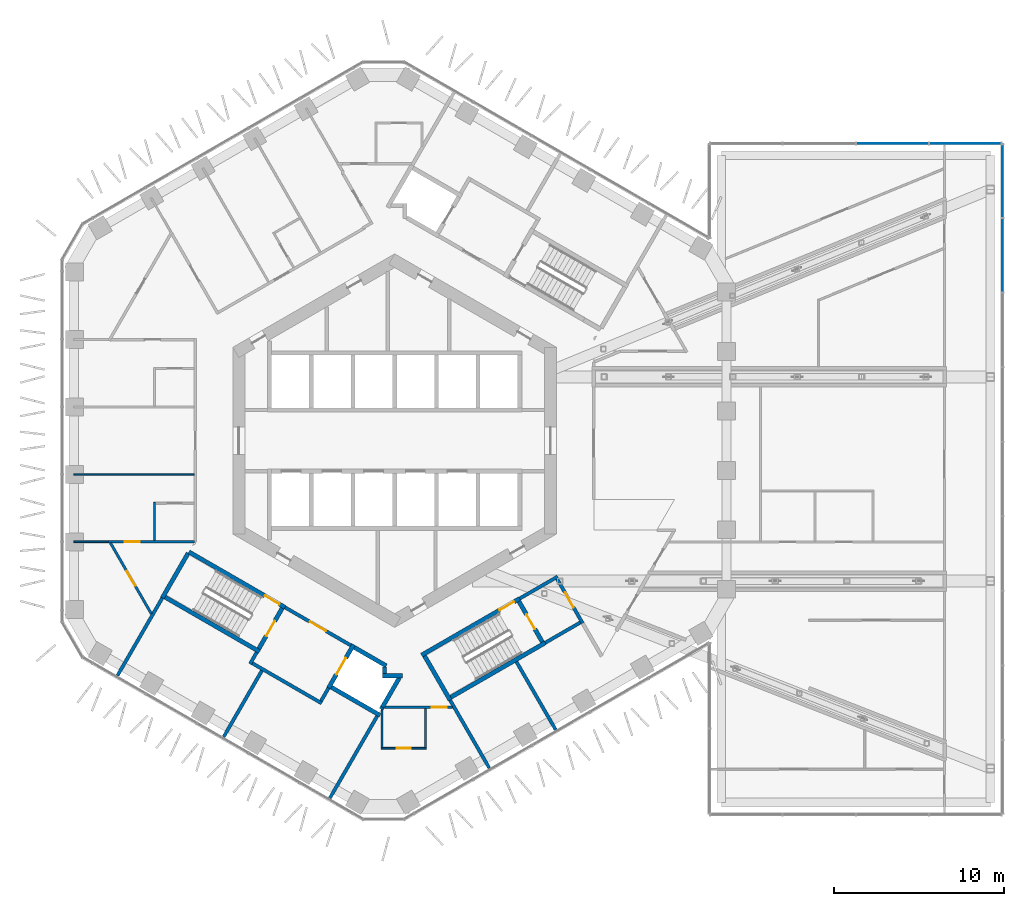
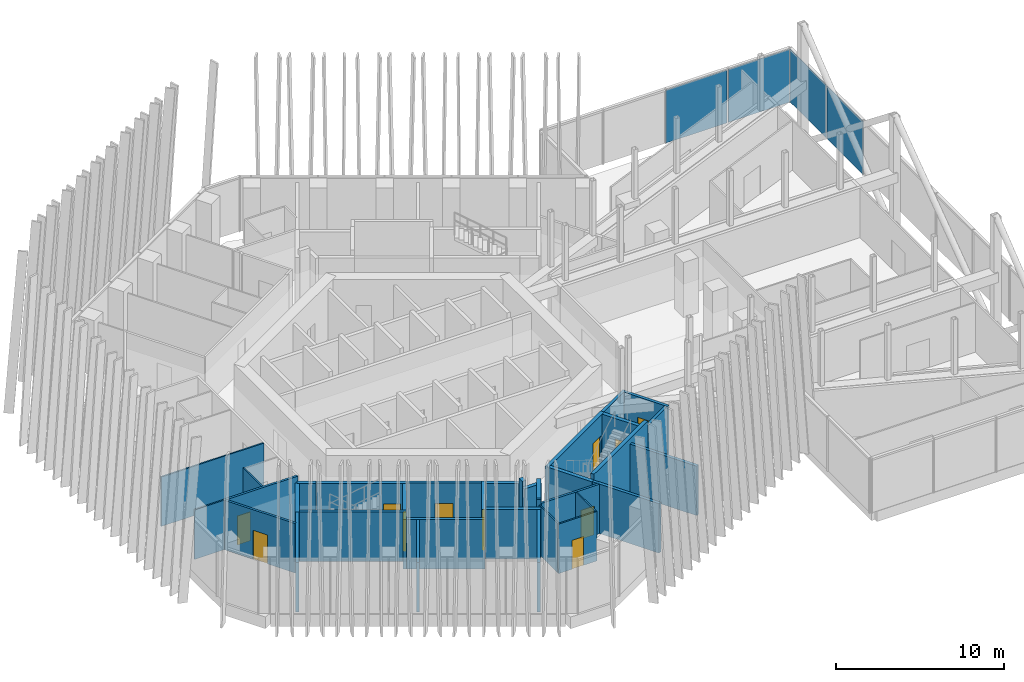
# One storey, part 19 of 28: 37 walls, 11 doors, 4 plates, 11 openings, 2 elements without a shape of their own.
"""IFC4 building model written with IfcOpenShell, lengths in metres."""

from ifc_helpers import new_model, si_unit, direction, frame, frame_2d, origin, origin_2d, place, context, subcontext, project, spatial, rectangle, extrude, material, layer, layer_set, type_object, element, fill, aggregate, save


model = new_model("IFC4")

# Units and contexts
model_context = context("Model", 3, precision=1e-05, world=origin(), true_north=direction((0.0, 1.0)))
body_context = subcontext(model_context, "Body", "Model", "MODEL_VIEW")
ifc_project = project(units=[si_unit("LENGTHUNIT", "METRE"), si_unit("AREAUNIT", "SQUARE_METRE"), si_unit("VOLUMEUNIT", "CUBIC_METRE"), si_unit("PLANEANGLEUNIT", "RADIAN"), si_unit("MASSUNIT", "GRAM", prefix="KILO")], contexts=[model_context])

# Site, building, storey
site_placement = place(None, origin())
site = spatial("IfcSite", under=ifc_project, at=site_placement, CompositionType="ELEMENT")
building_placement = place(site_placement, origin())
building = spatial("IfcBuilding", under=site, at=building_placement, Name="Ayvan Gate Tower", CompositionType="ELEMENT")
storey_placement = place(building_placement, frame((0.0, 0.0, 120.5)))
storey = spatial("IfcBuildingStorey", under=building, at=storey_placement, Name="L32", CompositionType="ELEMENT", Elevation=120.5)

# Curtain wall, plates
ifc_material_1 = material(Name="Bronze anodised aluminium", Category="aluminium")
ifc_layer_1 = layer(ifc_material_1, 0.199951171875)
ifc_layer_set_1 = layer_set([ifc_layer_1], Name="Bronze anodised aluminium")
curtain_wall_type = type_object("IfcCurtainWallType", Name="Stick curtain wall CW-4", PredefinedType="NOTDEFINED", material=ifc_layer_set_1)
curtain_wall_1_placement = place(storey_placement, origin())
curtain_wall_1 = element("IfcCurtainWall", 1, at=curtain_wall_1_placement, inside=storey, type_object=curtain_wall_type, Name="Stick curtain wall CW-4 L32", PredefinedType="NOTDEFINED")
ifc_material_2 = material(Name="Pale anodised aluminium composite panel", Category="aluminium")
ifc_layer_2 = layer(ifc_material_2, 0.028076171875)
ifc_layer_set_2 = layer_set([ifc_layer_2], Name="Pale anodised aluminium composite panel")
plate_type = type_object("IfcPlateType", Name="Stick curtain wall CW-4 solid panel", PredefinedType="CURTAIN_PANEL", material=ifc_layer_set_2)
plate_1_placement = place(storey_placement, frame((35.685546875, 10.88330078125, 0.0), z_axis=(0.0, 0.0, 1.0), x_axis=(0.0, 1.0, 0.0)))
plate_1 = element("IfcPlate", 2, at=plate_1_placement, type_object=plate_type, Name="CW-4 solid panel 8", PredefinedType="CURTAIN_PANEL", context=body_context, shape_type="SweptSolid", body=[
    extrude(rectangle(XDim=4.2978515625, YDim=0.028076171875, at=origin_2d()), origin(), (0.0, 0.0, 1.0), 3.860107421875),
])
plate_2_placement = place(storey_placement, frame((35.685546875, 15.26123046875, 0.0), z_axis=(0.0, 0.0, 1.0), x_axis=(0.0, 1.0, 0.0)))
plate_2 = element("IfcPlate", 3, at=plate_2_placement, type_object=plate_type, Name="CW-4 solid panel 9", PredefinedType="CURTAIN_PANEL", context=body_context, shape_type="SweptSolid", body=[
    extrude(rectangle(XDim=4.2978515625, YDim=0.028076171875, at=origin_2d()), origin(), (0.0, 0.0, 1.0), 3.860107421875),
])
aggregate(curtain_wall_1, [plate_1, plate_2])

curtain_wall_2_placement = place(storey_placement, origin())
curtain_wall_2 = element("IfcCurtainWall", 4, at=curtain_wall_2_placement, inside=storey, type_object=curtain_wall_type, Name="Stick curtain wall CW-4 L32", PredefinedType="NOTDEFINED")
plate_3_placement = place(storey_placement, frame((33.53564453125, 17.449951171875, 0.0), z_axis=(0.0, 0.0, 1.0), x_axis=(-1.0, 0.0, 0.0)))
plate_3 = element("IfcPlate", 5, at=plate_3_placement, type_object=plate_type, Name="CW-4 solid panel 1", PredefinedType="CURTAIN_PANEL", context=body_context, shape_type="SweptSolid", body=[
    extrude(rectangle(XDim=4.219970703125, YDim=0.028076171875, at=origin_2d()), origin(), (0.0, 0.0, 1.0), 3.860107421875),
])
plate_4_placement = place(storey_placement, frame((29.235595703125, 17.449951171875, 0.0), z_axis=(0.0, 0.0, 1.0), x_axis=(-1.0, 0.0, 0.0)))
plate_4 = element("IfcPlate", 6, at=plate_4_placement, type_object=plate_type, Name="CW-4 solid panel 2", PredefinedType="CURTAIN_PANEL", context=body_context, shape_type="SweptSolid", body=[
    extrude(rectangle(XDim=4.219970703125, YDim=0.028076171875, at=origin_2d()), origin(), (0.0, 0.0, 1.0), 3.860107421875),
])
aggregate(curtain_wall_2, [plate_3, plate_4])

# Wall, opening, door
ifc_material_3 = material(Name="Plasterboard on steel stud", Category="steel")
ifc_layer_3 = layer(ifc_material_3, 0.14990234375)
ifc_layer_set_3 = layer_set([ifc_layer_3], Name="Plasterboard on steel stud")
wall_type_1 = type_object("IfcWallType", Name="WT-CORR-150", PredefinedType="PARTITIONING", material=ifc_layer_set_3)
wall_1_placement = place(storey_placement, frame((-16.80712890625, -5.93701171875, 0.0), z_axis=(0.0, 0.0, 1.0), x_axis=(1.0, 0.0, 0.0)))
wall_1 = element("IfcWall", 7, at=wall_1_placement, inside=storey, type_object=wall_type_1, Name="IW-L32-001", PredefinedType="PARTITIONING", context=body_context, shape_type="SweptSolid", body=[
    extrude(rectangle(XDim=5.065673828125, YDim=0.14990234375, at=frame_2d((2.53271484375, 0.0))), origin(), (0.0, 0.0, 1.0), 3.60009765625),
])
opening_1_placement = place(wall_1_placement, frame((0.943359375, 0.0, 0.0)))
opening_1 = element("IfcOpeningElement", 8, at=opening_1_placement, cuts=wall_1, Name="Opening L32-D23", PredefinedType="OPENING", context=body_context, shape_type="SweptSolid", body=[
    extrude(rectangle(XDim=0.89990234375, YDim=2.10009765625, at=frame_2d((0.449951171875, 1.050048828125))), frame((0.0, 0.0849609375, 0.0), z_axis=(0.0, -1.0, 0.0), x_axis=(1.0, 0.0, 0.0)), (0.0, 0.0, 1.0), 0.169921875),
])
ifc_material_4 = material(Name="Timber door leaf", Category="wood")
door_type_1 = type_object("IfcDoorType", Name="DT-900", OperationType="NOTDEFINED", PredefinedType="DOOR", material=ifc_material_4)
door_1_placement = place(opening_1_placement, origin())
door_1 = element("IfcDoor", 9, at=door_1_placement, inside=storey, type_object=door_type_1, Name="ID-L32-023", OperationType="SINGLE_SWING_LEFT", OverallHeight=2.10009765625, OverallWidth=0.89990234375, PredefinedType="DOOR", context=body_context, shape_type="SweptSolid", body=[
    extrude(rectangle(XDim=0.89990234375, YDim=2.10009765625, at=frame_2d((0.449951171875, 1.050048828125))), frame((0.0, 0.02490234375, 0.0), z_axis=(0.0, -1.0, 0.0), x_axis=(1.0, 0.0, 0.0)), (0.0, 0.0, 1.0), 0.050048828125),
])
fill(opening_1, door_1)

wall_2_placement = place(storey_placement, frame((-14.286865234375, -10.17236328125, 0.0), z_axis=(0.0, 0.0, 1.0), x_axis=(-0.499988695522, 0.866031930329, 0.0)))
wall_2 = element("IfcWall", 10, at=wall_2_placement, inside=storey, type_object=wall_type_1, Name="IW-L32-006", PredefinedType="PARTITIONING", context=body_context, shape_type="SweptSolid", body=[
    extrude(rectangle(XDim=4.8154296875, YDim=0.14990234375, at=frame_2d((2.40771484375, 0.0))), origin(), (0.0, 0.0, 1.0), 3.60009765625),
])
opening_2_placement = place(wall_2_placement, frame((1.907958984375, 0.0, 0.0)))
opening_2 = element("IfcOpeningElement", 11, at=opening_2_placement, cuts=wall_2, Name="Opening L32-D25", PredefinedType="OPENING", context=body_context, shape_type="SweptSolid", body=[
    extrude(rectangle(XDim=1.0, YDim=2.10009765625, at=frame_2d((0.5, 1.050048828125))), frame((0.0, 0.0849609375, 0.0), z_axis=(0.0, -1.0, 0.0), x_axis=(1.0, 0.0, 0.0)), (0.0, 0.0, 1.0), 0.169921875),
])
door_type_2 = type_object("IfcDoorType", Name="DT-1000", OperationType="NOTDEFINED", PredefinedType="DOOR", material=ifc_material_4)
door_2_placement = place(opening_2_placement, origin())
door_2 = element("IfcDoor", 12, at=door_2_placement, inside=storey, type_object=door_type_2, Name="ID-L32-025", OperationType="SINGLE_SWING_LEFT", OverallHeight=2.10009765625, OverallWidth=1.0, PredefinedType="DOOR", context=body_context, shape_type="SweptSolid", body=[
    extrude(rectangle(XDim=1.0, YDim=2.10009765625, at=frame_2d((0.5, 1.050048828125))), frame((0.0, 0.02490234375, 0.0), z_axis=(0.0, -1.0, 0.0), x_axis=(1.0, 0.0, 0.0)), (0.0, 0.0, 1.0), 0.050048828125),
])
fill(opening_2, door_2)

wall_3_placement = place(storey_placement, frame((-0.601806640625, -15.658935546875, 0.0), z_axis=(0.0, 0.0, 1.0), x_axis=(1.0, 0.0, 0.0)))
wall_3 = element("IfcWall", 13, at=wall_3_placement, inside=storey, type_object=wall_type_1, Name="IW-L32-076", PredefinedType="PARTITIONING", context=body_context, shape_type="SweptSolid", body=[
    extrude(rectangle(XDim=4.0, YDim=0.14990234375, at=frame_2d((2.0, 0.0))), origin(), (0.0, 0.0, 1.0), 3.60009765625),
])
opening_3_placement = place(wall_3_placement, frame((2.773681640625, 0.0, 0.0)))
opening_3 = element("IfcOpeningElement", 14, at=opening_3_placement, cuts=wall_3, Name="Opening L32-D26", PredefinedType="OPENING", context=body_context, shape_type="SweptSolid", body=[
    extrude(rectangle(XDim=0.89990234375, YDim=2.10009765625, at=frame_2d((0.449951171875, 1.050048828125))), frame((0.0, 0.0849609375, 0.0), z_axis=(0.0, -1.0, 0.0), x_axis=(1.0, 0.0, 0.0)), (0.0, 0.0, 1.0), 0.169921875),
])
door_3_placement = place(opening_3_placement, origin())
door_3 = element("IfcDoor", 15, at=door_3_placement, inside=storey, type_object=door_type_1, Name="ID-L32-026", OperationType="SINGLE_SWING_RIGHT", OverallHeight=2.10009765625, OverallWidth=0.89990234375, PredefinedType="DOOR", context=body_context, shape_type="SweptSolid", body=[
    extrude(rectangle(XDim=0.89990234375, YDim=2.10009765625, at=frame_2d((0.449951171875, 1.050048828125))), frame((0.0, 0.02490234375, 0.0), z_axis=(0.0, -1.0, 0.0), x_axis=(1.0, 0.0, 0.0)), (0.0, 0.0, 1.0), 0.050048828125),
])
fill(opening_3, door_3)

# Walls
ifc_layer_4 = layer(ifc_material_3, 0.10009765625)
ifc_layer_set_4 = layer_set([ifc_layer_4], Name="Plasterboard on steel stud")
wall_type_2 = type_object("IfcWallType", Name="WT-PART-100", PredefinedType="PARTITIONING", material=ifc_layer_set_4)
wall_4_placement = place(storey_placement, frame((-16.80712890625, -5.93701171875, 0.0), z_axis=(0.0, 0.0, 1.0), x_axis=(-1.0, 0.0, 0.0)))
element("IfcWall", 16, at=wall_4_placement, inside=storey, type_object=wall_type_2, Name="IW-L32-000", PredefinedType="PARTITIONING", context=body_context, shape_type="SweptSolid", body=[
    extrude(rectangle(XDim=2.025634765625, YDim=0.10009765625, at=frame_2d((1.0126953125, 0.0))), origin(), (0.0, 0.0, 1.0), 3.60009765625),
])
wall_5_placement = place(storey_placement, frame((-14.10009765625, -3.62890625, 0.0), z_axis=(0.0, 0.0, 1.0), x_axis=(0.0, -1.0, 0.0)))
element("IfcWall", 17, at=wall_5_placement, inside=storey, type_object=wall_type_2, Name="IW-L32-007", PredefinedType="PARTITIONING", context=body_context, shape_type="SweptSolid", body=[
    extrude(rectangle(XDim=2.23291015625, YDim=0.10009765625, at=frame_2d((1.116455078125, 0.0))), origin(), (0.0, 0.0, 1.0), 3.60009765625),
])
wall_6_placement = place(storey_placement, frame((-11.77490234375, -1.97900390625, 0.0), z_axis=(0.0, 0.0, 1.0), x_axis=(-1.0, 0.0, 0.0)))
element("IfcWall", 18, at=wall_6_placement, inside=storey, type_object=wall_type_2, Name="IW-L32-014", PredefinedType="PARTITIONING", context=body_context, shape_type="SweptSolid", body=[
    extrude(rectangle(XDim=7.057861328125, YDim=0.10009765625, at=frame_2d((3.52880859375, 0.0))), origin(), (0.0, 0.0, 1.0), 3.60009765625),
])

# Wall, opening, door
wall_7_placement = place(storey_placement, frame((-0.794189453125, -18.05908203125, 0.0), z_axis=(0.0, 0.0, 1.0), x_axis=(1.0, 0.0, 0.0)))
wall_7 = element("IfcWall", 19, at=wall_7_placement, inside=storey, type_object=wall_type_2, Name="IW-L32-058", PredefinedType="PARTITIONING", context=body_context, shape_type="SweptSolid", body=[
    extrude(rectangle(XDim=2.65966796875, YDim=0.10009765625, at=frame_2d((1.329833984375, 0.0))), origin(), (0.0, 0.0, 1.0), 3.60009765625),
])
opening_4_placement = place(wall_7_placement, frame((0.9296875, 0.0, 0.0)))
opening_4 = element("IfcOpeningElement", 20, at=opening_4_placement, cuts=wall_7, Name="Opening L32-D27", PredefinedType="OPENING", context=body_context, shape_type="SweptSolid", body=[
    extrude(rectangle(XDim=0.800048828125, YDim=2.10009765625, at=frame_2d((0.39990234375, 1.050048828125))), frame((0.0, 0.06005859375, 0.0), z_axis=(0.0, -1.0, 0.0), x_axis=(1.0, 0.0, 0.0)), (0.0, 0.0, 1.0), 0.1201171875),
])
door_type_3 = type_object("IfcDoorType", Name="DT-800", OperationType="NOTDEFINED", PredefinedType="DOOR", material=ifc_material_4)
door_4_placement = place(opening_4_placement, origin())
door_4 = element("IfcDoor", 21, at=door_4_placement, inside=storey, type_object=door_type_3, Name="ID-L32-027", OperationType="SINGLE_SWING_LEFT", OverallHeight=2.10009765625, OverallWidth=0.800048828125, PredefinedType="DOOR", context=body_context, shape_type="SweptSolid", body=[
    extrude(rectangle(XDim=0.800048828125, YDim=2.10009765625, at=frame_2d((0.39990234375, 1.050048828125))), frame((0.0, 0.02490234375, 0.0), z_axis=(0.0, -1.0, 0.0), x_axis=(1.0, 0.0, 0.0)), (0.0, 0.0, 1.0), 0.050048828125),
])
fill(opening_4, door_4)

# Walls
wall_8_placement = place(storey_placement, frame((-0.744140625, -15.81396484375, 0.0), z_axis=(0.0, 0.0, 1.0), x_axis=(0.0, -1.0, 0.0)))
element("IfcWall", 22, at=wall_8_placement, inside=storey, type_object=wall_type_2, Name="IW-L32-059", PredefinedType="PARTITIONING", context=body_context, shape_type="SweptSolid", body=[
    extrude(rectangle(XDim=2.195068359375, YDim=0.10009765625, at=frame_2d((1.09765625, 0.0))), origin(), (0.0, 0.0, 1.0), 3.60009765625),
])
wall_9_placement = place(storey_placement, frame((1.8154296875, -18.009033203125, 0.0), z_axis=(0.0, 0.0, 1.0), x_axis=(0.0, 1.0, 0.0)))
element("IfcWall", 23, at=wall_9_placement, inside=storey, type_object=wall_type_2, Name="IW-L32-075", PredefinedType="PARTITIONING", context=body_context, shape_type="SweptSolid", body=[
    extrude(rectangle(XDim=2.275146484375, YDim=0.10009765625, at=frame_2d((1.1376953125, 0.0))), origin(), (0.0, 0.0, 1.0), 3.60009765625),
])
ifc_layer_5 = layer(ifc_material_3, 0.199951171875)
ifc_layer_set_5 = layer_set([ifc_layer_5], Name="Plasterboard on steel stud")
wall_type_3 = type_object("IfcWallType", Name="WT-PLUMB-200", PredefinedType="PLUMBINGWALL", material=ifc_layer_set_5)
wall_10_placement = place(storey_placement, frame((-16.276123046875, -13.791259765625, 0.0), z_axis=(0.0, 0.0, 1.0), x_axis=(0.499970375258, 0.866042506961, 0.0)))
element("IfcWall", 24, at=wall_10_placement, inside=storey, type_object=wall_type_3, Name="IW-L32-004", PredefinedType="PLUMBINGWALL", context=body_context, shape_type="SweptSolid", body=[
    extrude(rectangle(XDim=5.256591796875, YDim=0.199951171875, at=frame_2d((2.62841796875, 0.0))), origin(), (0.0, 0.0, 1.0), 3.60009765625),
])
wall_11_placement = place(storey_placement, frame((-8.492919921875, -13.110107421875, 0.0), z_axis=(0.0, 0.0, 1.0), x_axis=(0.500067724834, 0.865986299303, 0.0)))
element("IfcWall", 25, at=wall_11_placement, inside=storey, type_object=wall_type_3, Name="IW-L32-021", PredefinedType="PLUMBINGWALL", context=body_context, shape_type="SweptSolid", body=[
    extrude(rectangle(XDim=0.775390625, YDim=0.199951171875, at=frame_2d((0.3876953125, 0.0))), origin(), (0.0, 0.0, 1.0), 3.60009765625),
])
wall_12_placement = place(storey_placement, frame((-7.800048828125, -13.510009765625, 0.0), z_axis=(0.0, 0.0, 1.0), x_axis=(-0.499994393058, -0.866028640929, 0.0)))
element("IfcWall", 26, at=wall_12_placement, inside=storey, type_object=wall_type_3, Name="IW-L32-023", PredefinedType="PLUMBINGWALL", context=body_context, shape_type="SweptSolid", body=[
    extrude(rectangle(XDim=4.4814453125, YDim=0.199951171875, at=frame_2d((2.24072265625, 0.0))), origin(), (0.0, 0.0, 1.0), 3.60009765625),
])
wall_13_placement = place(storey_placement, frame((-8.356201171875, -13.073486328125, 0.0), z_axis=(0.0, 0.0, 1.0), x_axis=(0.866038532462, -0.499977259774, 0.0)))
element("IfcWall", 27, at=wall_13_placement, inside=storey, type_object=wall_type_3, Name="IW-L32-024", PredefinedType="PLUMBINGWALL", context=body_context, shape_type="SweptSolid", body=[
    extrude(rectangle(XDim=4.699951171875, YDim=0.199951171875, at=frame_2d((2.35009765625, 0.0))), origin(), (0.0, 0.0, 1.0), 3.60009765625),
])
wall_14_placement = place(storey_placement, frame((-3.885009765625, -14.52880859375, 0.0), z_axis=(0.0, 0.0, 1.0), x_axis=(-0.499859285417, -0.866106630146, 0.0)))
element("IfcWall", 28, at=wall_14_placement, inside=storey, type_object=wall_type_3, Name="IW-L32-041", PredefinedType="PLUMBINGWALL", context=body_context, shape_type="SweptSolid", body=[
    extrude(rectangle(XDim=0.875244140625, YDim=0.199951171875, at=frame_2d((0.4375, 0.0))), origin(), (0.0, 0.0, 1.0), 3.60009765625),
])
wall_15_placement = place(storey_placement, frame((-1.027099609375, -16.178955078125, 0.0), z_axis=(0.0, 0.0, 1.0), x_axis=(-0.499995019066, -0.866028279509, 0.0)))
element("IfcWall", 29, at=wall_15_placement, inside=storey, type_object=wall_type_3, Name="IW-L32-056", PredefinedType="PLUMBINGWALL", context=body_context, shape_type="SweptSolid", body=[
    extrude(rectangle(XDim=5.556640625, YDim=0.199951171875, at=frame_2d((2.7783203125, 0.0))), origin(), (0.0, 0.0, 1.0), 3.60009765625),
])
for number, where, z_axis, x_axis, name in (
    (30, (3.255615234375, -15.23876953125, 0.0), (0.0, 0.0, 1.0), (0.500011643316, -0.866018681408, 0.0), "IW-L32-084"),
    (31, (7.152587890625, -12.98876953125, 0.0), (0.0, 0.0, 1.0), (0.500011643316, -0.866018681408, 0.0), "IW-L32-091"),
):
    element("IfcWall", number, at=place(storey_placement, frame(where, z_axis=z_axis, x_axis=x_axis)), inside=storey, type_object=wall_type_3, Name=name, PredefinedType="PLUMBINGWALL", context=body_context, shape_type="SweptSolid", body=[
        extrude(rectangle(XDim=4.60400390625, YDim=0.199951171875, at=frame_2d((2.302001953125, 0.0))), origin(), (0.0, 0.0, 1.0), 3.60009765625),
    ])
wall_16_placement = place(storey_placement, frame((10.900634765625, -10.6806640625, 0.0), z_axis=(0.0, 0.0, 1.0), x_axis=(-0.866007538022, -0.500030943131, 0.0)))
element("IfcWall", 32, at=wall_16_placement, inside=storey, type_object=wall_type_3, Name="IW-L32-103", PredefinedType="PLUMBINGWALL", context=body_context, shape_type="SweptSolid", body=[
    extrude(rectangle(XDim=2.374755859375, YDim=0.199951171875, at=frame_2d((1.1875, 0.0))), origin(), (0.0, 0.0, 1.0), 3.60009765625),
])

# Wall, opening, door
ifc_layer_6 = layer(ifc_material_3, 0.199951171875)
ifc_layer_set_6 = layer_set([ifc_layer_6], Name="Plasterboard on steel stud")
wall_type_4 = type_object("IfcWallType", Name="WT-RATED-200", PredefinedType="PARTITIONING", material=ifc_layer_set_6)
wall_17_placement = place(storey_placement, frame((-6.4345703125, -9.794921875, 0.0), z_axis=(0.0, 0.0, 1.0), x_axis=(0.866012907634, -0.500021643343, 0.0)))
wall_17 = element("IfcWall", 33, at=wall_17_placement, inside=storey, type_object=wall_type_4, Name="IW-L32-033", PredefinedType="PARTITIONING", context=body_context, shape_type="SweptSolid", body=[
    extrude(rectangle(XDim=4.449951171875, YDim=0.199951171875, at=frame_2d((2.22509765625, 0.0))), origin(), (0.0, 0.0, 1.0), 3.60009765625),
])
opening_5_placement = place(wall_17_placement, frame((1.675048828125, 0.0, 0.0)))
opening_5 = element("IfcOpeningElement", 34, at=opening_5_placement, cuts=wall_17, Name="Opening L32-D12", PredefinedType="OPENING", context=body_context, shape_type="SweptSolid", body=[
    extrude(rectangle(XDim=1.10009765625, YDim=2.10009765625, at=frame_2d((0.550048828125, 1.050048828125))), frame((0.0, 0.10986328125, 0.0), z_axis=(0.0, -1.0, 0.0), x_axis=(1.0, 0.0, 0.0)), (0.0, 0.0, 1.0), 0.219970703125),
])
door_type_4 = type_object("IfcDoorType", Name="DT-1100", OperationType="NOTDEFINED", PredefinedType="DOOR", material=ifc_material_4)
door_5_placement = place(opening_5_placement, origin())
door_5 = element("IfcDoor", 35, at=door_5_placement, inside=storey, type_object=door_type_4, Name="ID-L32-012", OperationType="SINGLE_SWING_RIGHT", OverallHeight=2.10009765625, OverallWidth=1.10009765625, PredefinedType="DOOR", context=body_context, shape_type="SweptSolid", body=[
    extrude(rectangle(XDim=1.10009765625, YDim=2.10009765625, at=frame_2d((0.550048828125, 1.050048828125))), frame((0.0, 0.02490234375, 0.0), z_axis=(0.0, -1.0, 0.0), x_axis=(1.0, 0.0, 0.0)), (0.0, 0.0, 1.0), 0.050048828125),
])
fill(opening_5, door_5)

# Wall
wall_18_placement = place(storey_placement, frame((7.343994140625, -9.27001953125, 0.0), z_axis=(0.0, 0.0, 1.0), x_axis=(0.866005588531, 0.500034319456, 0.0)))
element("IfcWall", 36, at=wall_18_placement, inside=storey, type_object=wall_type_4, Name="IW-L32-094", PredefinedType="PARTITIONING", context=body_context, shape_type="SweptSolid", body=[
    extrude(rectangle(XDim=2.574951171875, YDim=0.199951171875, at=frame_2d((1.28759765625, 0.0))), origin(), (0.0, 0.0, 1.0), 3.60009765625),
])

# Wall, opening, door
wall_19_placement = place(storey_placement, frame((9.537353515625, -8.119140625, 0.0), z_axis=(0.0, 0.0, 1.0), x_axis=(0.499990139034, -0.866031096941, 0.0)))
wall_19 = element("IfcWall", 37, at=wall_19_placement, inside=storey, type_object=wall_type_4, Name="IW-L32-102", PredefinedType="PARTITIONING", context=body_context, shape_type="SweptSolid", body=[
    extrude(rectangle(XDim=3.0, YDim=0.199951171875, at=frame_2d((1.5, 0.0))), origin(), (0.0, 0.0, 1.0), 3.60009765625),
])
opening_6_placement = place(wall_19_placement, frame((0.93505859375, 0.0, 0.0)))
opening_6 = element("IfcOpeningElement", 38, at=opening_6_placement, cuts=wall_19, Name="Opening L32-D15", PredefinedType="OPENING", context=body_context, shape_type="SweptSolid", body=[
    extrude(rectangle(XDim=1.0, YDim=2.10009765625, at=frame_2d((0.5, 1.050048828125))), frame((0.0, 0.10986328125, 0.0), z_axis=(0.0, -1.0, 0.0), x_axis=(1.0, 0.0, 0.0)), (0.0, 0.0, 1.0), 0.219970703125),
])
door_6_placement = place(opening_6_placement, origin())
door_6 = element("IfcDoor", 39, at=door_6_placement, inside=storey, type_object=door_type_2, Name="ID-L32-015", OperationType="SINGLE_SWING_LEFT", OverallHeight=2.10009765625, OverallWidth=1.0, PredefinedType="DOOR", context=body_context, shape_type="SweptSolid", body=[
    extrude(rectangle(XDim=1.0, YDim=2.10009765625, at=frame_2d((0.5, 1.050048828125))), frame((0.0, 0.02490234375, 0.0), z_axis=(0.0, -1.0, 0.0), x_axis=(1.0, 0.0, 0.0)), (0.0, 0.0, 1.0), 0.050048828125),
])
fill(opening_6, door_6)

# Walls
ifc_material_5 = material(Name="Concrete C50/60", Category="concrete")
ifc_layer_7 = layer(ifc_material_5, 0.25)
ifc_layer_set_7 = layer_set([ifc_layer_7], Name="Concrete C50/60")
wall_type_5 = type_object("IfcWallType", Name="WT-RC-250", PredefinedType="SHEAR", material=ifc_layer_set_7)
wall_20_placement = place(storey_placement, frame((-13.64794921875, -9.23876953125, 0.0), z_axis=(0.0, 0.0, 1.0), x_axis=(0.50000556753, 0.866022189346, 0.0)))
element("IfcWall", 40, at=wall_20_placement, inside=storey, type_object=wall_type_5, Name="IW-L32-010", PredefinedType="SHEAR", context=body_context, shape_type="SweptSolid", body=[
    extrude(rectangle(XDim=3.03564453125, YDim=0.25, at=frame_2d((1.517822265625, 0.0))), origin(), (0.0, 0.0, 1.0), 3.60009765625),
])
wall_21_placement = place(storey_placement, frame((-12.08544921875, -6.532470703125, 0.0), z_axis=(0.0, 0.0, 1.0), x_axis=(0.86604373436, -0.499968249168, 0.0)))
element("IfcWall", 41, at=wall_21_placement, inside=storey, type_object=wall_type_5, Name="IW-L32-012", PredefinedType="SHEAR", context=body_context, shape_type="SweptSolid", body=[
    extrude(rectangle(XDim=1.11767578125, YDim=0.25, at=frame_2d((0.558837890625, 0.0))), origin(), (0.0, 0.0, 1.0), 3.60009765625),
])

# Wall, opening, door
wall_22_placement = place(storey_placement, frame((-11.10009765625, -7.101318359375, 0.0), z_axis=(0.0, 0.0, 1.0), x_axis=(0.866028615007, -0.499994437958, 0.0)))
wall_22 = element("IfcWall", 42, at=wall_22_placement, inside=storey, type_object=wall_type_5, Name="IW-L32-018", PredefinedType="SHEAR", context=body_context, shape_type="SweptSolid", body=[
    extrude(rectangle(XDim=5.38720703125, YDim=0.25, at=frame_2d((2.693603515625, 0.0))), origin(), (0.0, 0.0, 1.0), 3.60009765625),
])
opening_7_placement = place(wall_22_placement, frame((4.01220703125, 0.0, 0.0)))
opening_7 = element("IfcOpeningElement", 43, at=opening_7_placement, cuts=wall_22, Name="Opening L32-D10", PredefinedType="OPENING", context=body_context, shape_type="SweptSolid", body=[
    extrude(rectangle(XDim=1.0, YDim=2.10009765625, at=frame_2d((0.5, 1.050048828125))), frame((0.0, 0.135009765625, 0.0), z_axis=(0.0, -1.0, 0.0), x_axis=(1.0, 0.0, 0.0)), (0.0, 0.0, 1.0), 0.27001953125),
])
door_7_placement = place(opening_7_placement, origin())
door_7 = element("IfcDoor", 44, at=door_7_placement, inside=storey, type_object=door_type_2, Name="ID-L32-010", OperationType="SINGLE_SWING_RIGHT", OverallHeight=2.10009765625, OverallWidth=1.0, PredefinedType="DOOR", context=body_context, shape_type="SweptSolid", body=[
    extrude(rectangle(XDim=1.0, YDim=2.10009765625, at=frame_2d((0.5, 1.050048828125))), frame((0.0, 0.02490234375, 0.0), z_axis=(0.0, -1.0, 0.0), x_axis=(1.0, 0.0, 0.0)), (0.0, 0.0, 1.0), 0.050048828125),
])
fill(opening_7, door_7)

# Wall
wall_23_placement = place(storey_placement, frame((-7.9345703125, -12.39306640625, 0.0), z_axis=(0.0, 0.0, 1.0), x_axis=(-0.866025499775, 0.499999833739, 0.0)))
element("IfcWall", 45, at=wall_23_placement, inside=storey, type_object=wall_type_5, Name="IW-L32-022", PredefinedType="SHEAR", context=body_context, shape_type="SweptSolid", body=[
    extrude(rectangle(XDim=6.39990234375, YDim=0.25, at=frame_2d((3.199951171875, 0.0))), origin(), (0.0, 0.0, 1.0), 3.60009765625),
])

# Wall, opening, door
wall_24_placement = place(storey_placement, frame((-6.605224609375, -9.8408203125, 0.0), z_axis=(0.0, 0.0, 1.0), x_axis=(-0.499996545922, -0.866027397988, 0.0)))
wall_24 = element("IfcWall", 46, at=wall_24_placement, inside=storey, type_object=wall_type_5, Name="IW-L32-032", PredefinedType="SHEAR", context=body_context, shape_type="SweptSolid", body=[
    extrude(rectangle(XDim=2.75, YDim=0.25, at=frame_2d((1.375, 0.0))), origin(), (0.0, 0.0, 1.0), 3.60009765625),
])
opening_8_placement = place(wall_24_placement, frame((0.875, 0.0, 0.0)))
opening_8 = element("IfcOpeningElement", 47, at=opening_8_placement, cuts=wall_24, Name="Opening L32-D11", PredefinedType="OPENING", context=body_context, shape_type="SweptSolid", body=[
    extrude(rectangle(XDim=1.0, YDim=2.10009765625, at=frame_2d((0.5, 1.050048828125))), frame((0.0, 0.135009765625, 0.0), z_axis=(0.0, -1.0, 0.0), x_axis=(1.0, 0.0, 0.0)), (0.0, 0.0, 1.0), 0.27001953125),
])
door_8_placement = place(opening_8_placement, origin())
door_8 = element("IfcDoor", 48, at=door_8_placement, inside=storey, type_object=door_type_2, Name="ID-L32-011", OperationType="SINGLE_SWING_LEFT", OverallHeight=2.10009765625, OverallWidth=1.0, PredefinedType="DOOR", context=body_context, shape_type="SweptSolid", body=[
    extrude(rectangle(XDim=1.0, YDim=2.10009765625, at=frame_2d((0.5, 1.050048828125))), frame((0.0, 0.02490234375, 0.0), z_axis=(0.0, -1.0, 0.0), x_axis=(1.0, 0.0, 0.0)), (0.0, 0.0, 1.0), 0.050048828125),
])
fill(opening_8, door_8)

wall_25_placement = place(storey_placement, frame((-2.409912109375, -11.97412109375, 0.0), z_axis=(0.0, 0.0, 1.0), x_axis=(-0.500001826776, -0.866024349092, 0.0)))
wall_25 = element("IfcWall", 49, at=wall_25_placement, inside=storey, type_object=wall_type_5, Name="IW-L32-047", PredefinedType="SHEAR", context=body_context, shape_type="SweptSolid", body=[
    extrude(rectangle(XDim=2.9501953125, YDim=0.25, at=frame_2d((1.47509765625, 0.0))), origin(), (0.0, 0.0, 1.0), 3.60009765625),
])
opening_9_placement = place(wall_25_placement, frame((0.925048828125, 0.0, 0.0)))
opening_9 = element("IfcOpeningElement", 50, at=opening_9_placement, cuts=wall_25, Name="Opening L32-LD-FF2", PredefinedType="OPENING", context=body_context, shape_type="SweptSolid", body=[
    extrude(rectangle(XDim=1.10009765625, YDim=2.10009765625, at=frame_2d((0.550048828125, 1.050048828125))), frame((0.0, 0.135009765625, 0.0), z_axis=(0.0, -1.0, 0.0), x_axis=(1.0, 0.0, 0.0)), (0.0, 0.0, 1.0), 0.27001953125),
])
ifc_material_6 = material(Name="Stainless steel landing door", Category="steel")
door_type_5 = type_object("IfcDoorType", Name="DT-LANDING-1100", OperationType="SLIDING_TO_LEFT", PredefinedType="DOOR", material=ifc_material_6)
door_9_placement = place(opening_9_placement, origin())
door_9 = element("IfcDoor", 51, at=door_9_placement, inside=storey, type_object=door_type_5, Name="ID-L32-013", OperationType="SLIDING_TO_LEFT", OverallHeight=2.10009765625, OverallWidth=1.10009765625, PredefinedType="DOOR", context=body_context, shape_type="SweptSolid", body=[
    extrude(rectangle(XDim=1.10009765625, YDim=2.10009765625, at=frame_2d((0.550048828125, 1.050048828125))), frame((0.0, 0.02490234375, 0.0), z_axis=(0.0, -1.0, 0.0), x_axis=(1.0, 0.0, 0.0)), (0.0, 0.0, 1.0), 0.050048828125),
])
fill(opening_9, door_9)

# Walls
wall_26_placement = place(storey_placement, frame((-2.3642578125, -12.14501953125, 0.0), z_axis=(0.0, 0.0, 1.0), x_axis=(0.86603892542, -0.499976579108, 0.0)))
element("IfcWall", 52, at=wall_26_placement, inside=storey, type_object=wall_type_5, Name="IW-L32-048", PredefinedType="SHEAR", context=body_context, shape_type="SweptSolid", body=[
    extrude(rectangle(XDim=2.162109375, YDim=0.25, at=frame_2d((1.0810546875, 0.0))), origin(), (0.0, 0.0, 1.0), 3.60009765625),
])
wall_27_placement = place(storey_placement, frame((-0.8564453125, -16.13330078125, 0.0), z_axis=(0.0, 0.0, 1.0), x_axis=(-0.866021716278, 0.500006386895, 0.0)))
element("IfcWall", 53, at=wall_27_placement, inside=storey, type_object=wall_type_5, Name="IW-L32-057", PredefinedType="SHEAR", context=body_context, shape_type="SweptSolid", body=[
    extrude(rectangle(XDim=3.2998046875, YDim=0.25, at=frame_2d((1.64990234375, 0.0))), origin(), (0.0, 0.0, 1.0), 3.60009765625),
])
wall_28_placement = place(storey_placement, frame((-0.718994140625, -15.6455078125, 0.0), z_axis=(0.0, 0.0, 1.0), x_axis=(-0.499915430684, -0.866074224396, 0.0)))
element("IfcWall", 54, at=wall_28_placement, inside=storey, type_object=wall_type_5, Name="IW-L32-060", PredefinedType="SHEAR", context=body_context, shape_type="SweptSolid", body=[
    extrude(rectangle(XDim=0.14599609375, YDim=0.25, at=frame_2d((0.072998046875, 0.0))), origin(), (0.0, 0.0, 1.0), 4.0),
])
wall_29_placement = place(storey_placement, frame((-0.72509765625, -13.81005859375, 0.0), z_axis=(0.0, 0.0, 1.0), x_axis=(1.0, 0.0, 0.0)))
element("IfcWall", 55, at=wall_29_placement, inside=storey, type_object=wall_type_5, Name="IW-L32-061", PredefinedType="SHEAR", context=body_context, shape_type="SweptSolid", body=[
    extrude(rectangle(XDim=1.190673828125, YDim=0.25, at=frame_2d((0.59521484375, 0.0))), origin(), (0.0, 0.0, 1.0), 3.60009765625),
])
wall_30_placement = place(storey_placement, frame((-0.60009765625, -13.28857421875, 0.0), z_axis=(0.0, 0.0, 1.0), x_axis=(0.0, -1.0, 0.0)))
element("IfcWall", 56, at=wall_30_placement, inside=storey, type_object=wall_type_5, Name="IW-L32-062", PredefinedType="SHEAR", context=body_context, shape_type="SweptSolid", body=[
    extrude(rectangle(XDim=0.396484375, YDim=0.25, at=frame_2d((0.1982421875, 0.0))), origin(), (0.0, 0.0, 1.0), 4.0),
])
wall_31_placement = place(storey_placement, frame((0.278076171875, -13.918212890625, 0.0), z_axis=(0.0, 0.0, 1.0), x_axis=(-0.499936764026, -0.866061910013, 0.0)))
element("IfcWall", 57, at=wall_31_placement, inside=storey, type_object=wall_type_5, Name="IW-L32-067", PredefinedType="SHEAR", context=body_context, shape_type="SweptSolid", body=[
    extrude(rectangle(XDim=2.005126953125, YDim=0.25, at=frame_2d((1.00244140625, 0.0))), origin(), (0.0, 0.0, 1.0), 4.0),
])

# Wall, opening, door
wall_32_placement = place(storey_placement, frame((1.584716796875, -12.594970703125, 0.0), z_axis=(0.0, 0.0, 1.0), x_axis=(0.866036417653, 0.499980922934, 0.0)))
wall_32 = element("IfcWall", 58, at=wall_32_placement, inside=storey, type_object=wall_type_5, Name="IW-L32-074", PredefinedType="SHEAR", context=body_context, shape_type="SweptSolid", body=[
    extrude(rectangle(XDim=6.650146484375, YDim=0.25, at=frame_2d((3.3251953125, 0.0))), origin(), (0.0, 0.0, 1.0), 3.60009765625),
])
opening_10_placement = place(wall_32_placement, frame((5.27490234375, 0.0, 0.0)))
opening_10 = element("IfcOpeningElement", 59, at=opening_10_placement, cuts=wall_32, Name="Opening L32-D14", PredefinedType="OPENING", context=body_context, shape_type="SweptSolid", body=[
    extrude(rectangle(XDim=1.0, YDim=2.10009765625, at=frame_2d((0.5, 1.050048828125))), frame((0.0, 0.135009765625, 0.0), z_axis=(0.0, -1.0, 0.0), x_axis=(1.0, 0.0, 0.0)), (0.0, 0.0, 1.0), 0.27001953125),
])
door_10_placement = place(opening_10_placement, origin())
door_10 = element("IfcDoor", 60, at=door_10_placement, inside=storey, type_object=door_type_2, Name="ID-L32-014", OperationType="SINGLE_SWING_RIGHT", OverallHeight=2.10009765625, OverallWidth=1.0, PredefinedType="DOOR", context=body_context, shape_type="SweptSolid", body=[
    extrude(rectangle(XDim=1.0, YDim=2.10009765625, at=frame_2d((0.5, 1.050048828125))), frame((0.0, 0.02490234375, 0.0), z_axis=(0.0, -1.0, 0.0), x_axis=(1.0, 0.0, 0.0)), (0.0, 0.0, 1.0), 0.050048828125),
])
fill(opening_10, door_10)

# Walls
wall_33_placement = place(storey_placement, frame((3.255615234375, -15.23876953125, 0.0), z_axis=(0.0, 0.0, 1.0), x_axis=(-0.50002537861, 0.866010750942, 0.0)))
element("IfcWall", 61, at=wall_33_placement, inside=storey, type_object=wall_type_5, Name="IW-L32-082", PredefinedType="SHEAR", context=body_context, shape_type="SweptSolid", body=[
    extrude(rectangle(XDim=2.999755859375, YDim=0.25, at=frame_2d((1.5, 0.0))), origin(), (0.0, 0.0, 1.0), 3.60009765625),
])
wall_34_placement = place(storey_placement, frame((3.30126953125, -15.068115234375, 0.0), z_axis=(0.0, 0.0, 1.0), x_axis=(0.866035036182, 0.499983315828, 0.0)))
element("IfcWall", 62, at=wall_34_placement, inside=storey, type_object=wall_type_5, Name="IW-L32-092", PredefinedType="SHEAR", context=body_context, shape_type="SweptSolid", body=[
    extrude(rectangle(XDim=6.400146484375, YDim=0.25, at=frame_2d((3.2001953125, 0.0))), origin(), (0.0, 0.0, 1.0), 4.0),
])

# Wall, opening, door
wall_35_placement = place(storey_placement, frame((7.298095703125, -9.44091796875, 0.0), z_axis=(0.0, 0.0, 1.0), x_axis=(0.500034990121, -0.866005201286, 0.0)))
wall_35 = element("IfcWall", 63, at=wall_35_placement, inside=storey, type_object=wall_type_5, Name="IW-L32-093", PredefinedType="SHEAR", context=body_context, shape_type="SweptSolid", body=[
    extrude(rectangle(XDim=2.749755859375, YDim=0.25, at=frame_2d((1.375, 0.0))), origin(), (0.0, 0.0, 1.0), 3.60009765625),
])
opening_11_placement = place(wall_35_placement, frame((0.875, 0.0, 0.0)))
opening_11 = element("IfcOpeningElement", 64, at=opening_11_placement, cuts=wall_35, Name="Opening L32-D16", PredefinedType="OPENING", context=body_context, shape_type="SweptSolid", body=[
    extrude(rectangle(XDim=1.0, YDim=2.10009765625, at=frame_2d((0.5, 1.050048828125))), frame((0.0, 0.135009765625, 0.0), z_axis=(0.0, -1.0, 0.0), x_axis=(1.0, 0.0, 0.0)), (0.0, 0.0, 1.0), 0.27001953125),
])
door_11_placement = place(opening_11_placement, origin())
door_11 = element("IfcDoor", 65, at=door_11_placement, inside=storey, type_object=door_type_2, Name="ID-L32-016", OperationType="SINGLE_SWING_RIGHT", OverallHeight=2.10009765625, OverallWidth=1.0, PredefinedType="DOOR", context=body_context, shape_type="SweptSolid", body=[
    extrude(rectangle(XDim=1.0, YDim=2.10009765625, at=frame_2d((0.5, 1.050048828125))), frame((0.0, 0.02490234375, 0.0), z_axis=(0.0, -1.0, 0.0), x_axis=(1.0, 0.0, 0.0)), (0.0, 0.0, 1.0), 0.050048828125),
])
fill(opening_11, door_11)

save(model, "model.ifc")
